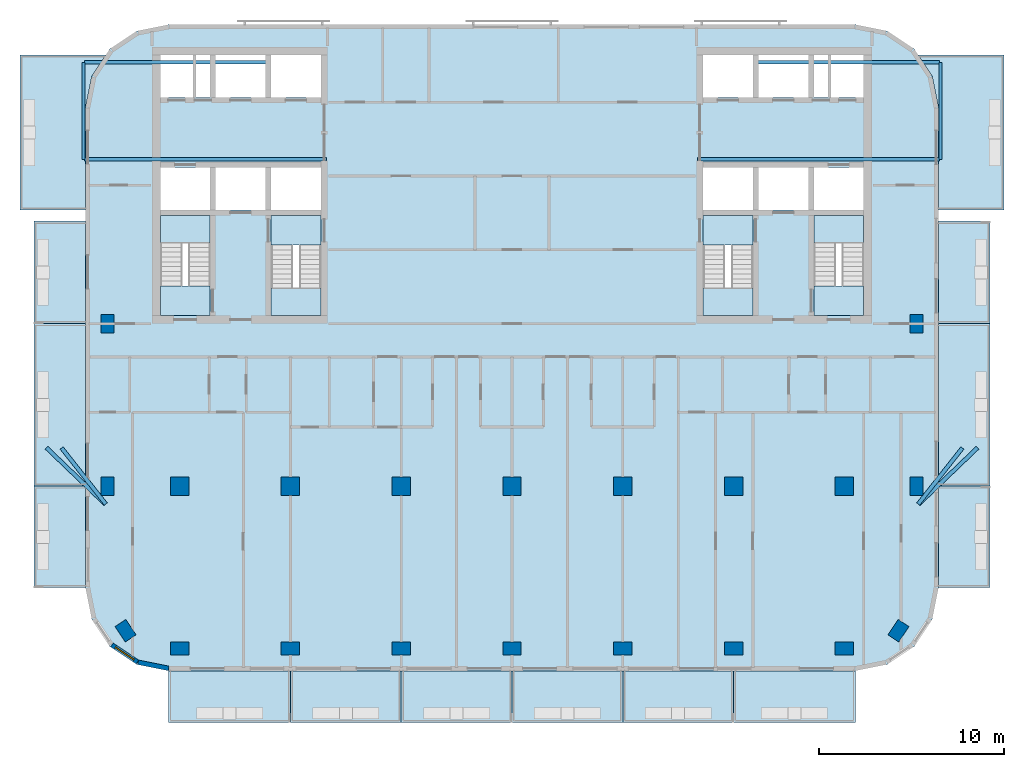
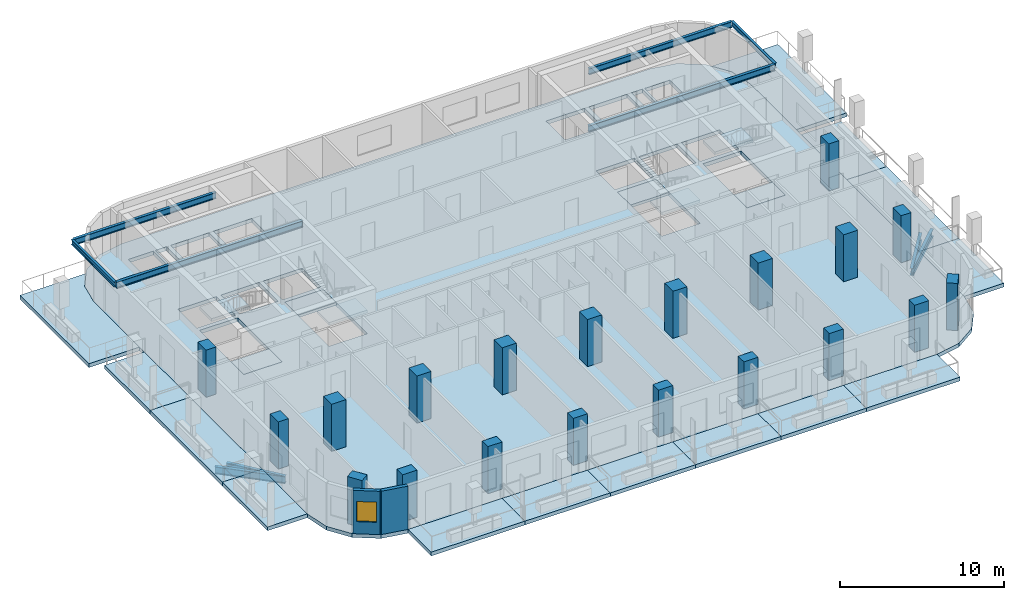
# One storey, part 1 of 11: 23 slabs, 20 columns, 10 beams, 2 walls, 1 window, 1 opening, 4 elements without a shape of their own.
"""IFC4 building model written with IfcOpenShell, lengths in metres."""

from ifc_helpers import new_model, si_unit, direction, frame, frame_2d, origin, origin_2d, place, context, subcontext, project, spatial, polyline, rectangle, i_section, outline, extrude, material, layer, layer_set, material_profile, profile_set, type_object, element, fill, aggregate, save


model = new_model("IFC4")

# Units and contexts
model_context = context("Model", 3, precision=1e-05, world=origin(), true_north=direction((0.0, 1.0)))
body_context = subcontext(model_context, "Body", "Model", "MODEL_VIEW")
ifc_project = project(units=[si_unit("LENGTHUNIT", "METRE"), si_unit("AREAUNIT", "SQUARE_METRE"), si_unit("VOLUMEUNIT", "CUBIC_METRE"), si_unit("PLANEANGLEUNIT", "RADIAN"), si_unit("MASSUNIT", "GRAM", prefix="KILO")], contexts=[model_context])

# Site, building, storey
site_placement = place(None, origin())
site = spatial("IfcSite", under=ifc_project, at=site_placement, CompositionType="ELEMENT")
building_placement = place(site_placement, origin())
building = spatial("IfcBuilding", under=site, at=building_placement, Name="Torana Hotel and Residences", CompositionType="ELEMENT")
storey_placement = place(building_placement, frame((0.0, 0.0, 252.60009765625)))
storey = spatial("IfcBuildingStorey", under=building, at=storey_placement, Name="L66", CompositionType="ELEMENT", Elevation=252.60009765625)

# Columns
ifc_material_1 = material(Name="Concrete C50/60", Category="concrete")
ifc_material_profile_1 = material_profile(ifc_material_1, rectangle(XDim=1.0, YDim=1.0, at=origin_2d()), Name="RC 1000x1000")
ifc_profile_set_1 = profile_set([ifc_material_profile_1], Name="Concrete C50/60")
column_type_1 = type_object("IfcColumnType", Name="COLUMN RC 1000x1000 C50/60", PredefinedType="COLUMN", material=ifc_profile_set_1)
for number, where, z_axis, x_axis, name in (
    (1, (-18.0, -23.800048828125, -0.280029296875), (0.0, 0.0, 1.0), (1.0, 0.0, 0.0), "Column L66"),
    (2, (-12.0, -23.800048828125, -0.280029296875), (0.0, 0.0, 1.0), (1.0, 0.0, 0.0), "Column L66"),
    (3, (-6.0, -23.800048828125, -0.280029296875), (0.0, 0.0, 1.0), (1.0, 0.0, 0.0), "Column L66"),
    (4, (0.0, -23.800048828125, -0.280029296875), (0.0, 0.0, 1.0), (1.0, 0.0, 0.0), "Column L66"),
    (5, (6.0, -23.800048828125, -0.280029296875), (0.0, 0.0, 1.0), (1.0, 0.0, 0.0), "Column L66"),
    (6, (12.0, -23.800048828125, -0.280029296875), (0.0, 0.0, 1.0), (1.0, 0.0, 0.0), "Column L66"),
    (7, (18.0, -23.800048828125, -0.280029296875), (0.0, 0.0, 1.0), (1.0, 0.0, 0.0), "Column L66"),
):
    element("IfcColumn", number, at=place(storey_placement, frame(where, z_axis=z_axis, x_axis=x_axis)), inside=storey, type_object=column_type_1, Name=name, PredefinedType="COLUMN", context=body_context, shape_type="SweptSolid", body=[
        extrude(rectangle(XDim=1.0, YDim=1.0, at=origin_2d()), origin(), (0.0, 0.0, 1.0), 3.780029296875),
    ])
ifc_material_2 = material(Name="Concrete C50/60", Category="concrete")
ifc_material_profile_2 = material_profile(ifc_material_2, rectangle(XDim=1.0, YDim=0.699951171875, at=origin_2d()), Name="RC 1000x700")
ifc_profile_set_2 = profile_set([ifc_material_profile_2], Name="Concrete C50/60")
column_type_2 = type_object("IfcColumnType", Name="COLUMN RC 1000x700 C50/60", PredefinedType="COLUMN", material=ifc_profile_set_2)
for number, where, z_axis, x_axis, name in (
    (8, (-21.89990234375, -23.800048828125, -0.280029296875), (0.0, 0.0, 1.0), (0.0, 1.0, 0.0), "Column L66"),
    (9, (-21.89990234375, -15.0, -0.280029296875), (0.0, 0.0, 1.0), (0.0, 1.0, 0.0), "Column L66"),
    (10, (-20.93310546875, -31.633056640625, -0.280029296875), (0.0, 0.0, 1.0), (-0.555584744817, 0.831459915646, 0.0), "Column L66"),
    (11, (-18.0, -32.60009765625, -0.280029296875), (0.0, 0.0, 1.0), (1.0, 0.0, 0.0), "Column L66"),
    (12, (-12.0, -32.60009765625, -0.280029296875), (0.0, 0.0, 1.0), (1.0, 0.0, 0.0), "Column L66"),
    (13, (-6.0, -32.60009765625, -0.280029296875), (0.0, 0.0, 1.0), (1.0, 0.0, 0.0), "Column L66"),
    (14, (0.0, -32.60009765625, -0.280029296875), (0.0, 0.0, 1.0), (1.0, 0.0, 0.0), "Column L66"),
    (15, (6.0, -32.60009765625, -0.280029296875), (0.0, 0.0, 1.0), (1.0, 0.0, 0.0), "Column L66"),
    (16, (12.0, -32.60009765625, -0.280029296875), (0.0, 0.0, 1.0), (1.0, 0.0, 0.0), "Column L66"),
    (17, (18.0, -32.60009765625, -0.280029296875), (0.0, 0.0, 1.0), (1.0, 0.0, 0.0), "Column L66"),
    (18, (20.93310546875, -31.633056640625, -0.280029296875), (0.0, 0.0, 1.0), (0.555584744817, 0.831459915646, 0.0), "Column L66"),
    (19, (21.89990234375, -23.800048828125, -0.280029296875), (0.0, 0.0, 1.0), (0.0, 1.0, 0.0), "Column L66"),
    (20, (21.89990234375, -15.0, -0.280029296875), (0.0, 0.0, 1.0), (0.0, 1.0, 0.0), "Column L66"),
):
    element("IfcColumn", number, at=place(storey_placement, frame(where, z_axis=z_axis, x_axis=x_axis)), inside=storey, type_object=column_type_2, Name=name, PredefinedType="COLUMN", context=body_context, shape_type="SweptSolid", body=[
        extrude(rectangle(XDim=1.0, YDim=0.699951171875, at=origin_2d()), origin(), (0.0, 0.0, 1.0), 3.780029296875),
    ])

# Beams
ifc_material_3 = material(Name="Steel S355", Category="steel")
ifc_material_profile_3 = material_profile(ifc_material_3, i_section(OverallWidth=0.19287109375, OverallDepth=0.46728515625, WebThickness=0.011474609375, FlangeThickness=0.01953125, FilletRadius=0.01025390625, at=origin_2d()), Name="457x191x98 UB")
ifc_profile_set_3 = profile_set([ifc_material_profile_3], Name="Steel S355")
beam_type_1 = type_object("IfcBeamType", Name="BALCONY CANTILEVER BEAM 457x191x98 UB", PredefinedType="BEAM", material=ifc_profile_set_3)
beam_1_placement = place(storey_placement, frame((-23.1484375, -6.10009765625, 2.986328125), z_axis=(1.0, 0.0, 0.0), x_axis=(0.0, 1.0, 0.0)))
element("IfcBeam", 21, at=beam_1_placement, inside=storey, type_object=beam_type_1, Name="Balcony cantilever beam", PredefinedType="BEAM", context=body_context, shape_type="SweptSolid", body=[
    extrude(i_section(OverallWidth=0.19287109375, OverallDepth=0.46728515625, WebThickness=0.011474609375, FlangeThickness=0.01953125, FilletRadius=0.01025390625, at=origin_2d()), origin(), (0.0, 0.0, 1.0), 13.098388671875),
])
beam_2_placement = place(storey_placement, frame((-23.1484375, -0.85009765625, 2.986328125), z_axis=(1.0, 0.0, 0.0), x_axis=(0.0, 1.0, 0.0)))
element("IfcBeam", 22, at=beam_2_placement, inside=storey, type_object=beam_type_1, Name="Balcony cantilever beam", PredefinedType="BEAM", context=body_context, shape_type="SweptSolid", body=[
    extrude(i_section(OverallWidth=0.19287109375, OverallDepth=0.46728515625, WebThickness=0.011474609375, FlangeThickness=0.01953125, FilletRadius=0.01025390625, at=origin_2d()), origin(), (0.0, 0.0, 1.0), 10.04833984375),
])
beam_3_placement = place(storey_placement, frame((23.1484375, -6.10009765625, 2.986328125), z_axis=(-1.0, 0.0, 0.0), x_axis=(0.0, -1.0, 0.0)))
element("IfcBeam", 23, at=beam_3_placement, inside=storey, type_object=beam_type_1, Name="Balcony cantilever beam", PredefinedType="BEAM", context=body_context, shape_type="SweptSolid", body=[
    extrude(i_section(OverallWidth=0.19287109375, OverallDepth=0.46728515625, WebThickness=0.011474609375, FlangeThickness=0.01953125, FilletRadius=0.01025390625, at=origin_2d()), origin(), (0.0, 0.0, 1.0), 13.098388671875),
])
beam_4_placement = place(storey_placement, frame((23.1484375, -0.85009765625, 2.986328125), z_axis=(-1.0, 0.0, 0.0), x_axis=(0.0, -1.0, 0.0)))
element("IfcBeam", 24, at=beam_4_placement, inside=storey, type_object=beam_type_1, Name="Balcony cantilever beam", PredefinedType="BEAM", context=body_context, shape_type="SweptSolid", body=[
    extrude(i_section(OverallWidth=0.19287109375, OverallDepth=0.46728515625, WebThickness=0.011474609375, FlangeThickness=0.01953125, FilletRadius=0.01025390625, at=origin_2d()), origin(), (0.0, 0.0, 1.0), 10.04833984375),
])
ifc_material_4 = material(Name="Steel S355", Category="steel")
ifc_material_profile_4 = material_profile(ifc_material_4, i_section(OverallWidth=0.2119140625, OverallDepth=0.54443359375, WebThickness=0.0126953125, FlangeThickness=0.021240234375, FilletRadius=0.0126953125, at=origin_2d()), Name="533x210x122 UB")
ifc_profile_set_4 = profile_set([ifc_material_profile_4], Name="Steel S355")
beam_type_2 = type_object("IfcBeamType", Name="BALCONY TIE BEAM 533x210x122 UB", PredefinedType="BEAM", material=ifc_profile_set_4)
beam_5_placement = place(storey_placement, frame((-24.394775390625, -21.7333984375, -0.552490234375), z_axis=(0.618848584026, -0.785510299136, 0.0), x_axis=(0.785510299136, 0.618848584026, 0.0)))
element("IfcBeam", 25, at=beam_5_placement, inside=storey, type_object=beam_type_2, Name="Balcony tie beam", PredefinedType="BEAM", context=body_context, shape_type="SweptSolid", body=[
    extrude(i_section(OverallWidth=0.2119140625, OverallDepth=0.54443359375, WebThickness=0.0126953125, FlangeThickness=0.021240234375, FilletRadius=0.0126953125, at=origin_2d()), origin(), (0.0, 0.0, 1.0), 3.861328125),
])
beam_6_placement = place(storey_placement, frame((-25.21728515625, -21.7177734375, -0.552490234375), z_axis=(0.721651773138, -0.692256251924, 0.0), x_axis=(0.692256251924, 0.721651773138, 0.0)))
element("IfcBeam", 26, at=beam_6_placement, inside=storey, type_object=beam_type_2, Name="Balcony tie beam", PredefinedType="BEAM", context=body_context, shape_type="SweptSolid", body=[
    extrude(i_section(OverallWidth=0.2119140625, OverallDepth=0.54443359375, WebThickness=0.0126953125, FlangeThickness=0.021240234375, FilletRadius=0.0126953125, at=origin_2d()), origin(), (0.0, 0.0, 1.0), 4.4267578125),
])
beam_7_placement = place(storey_placement, frame((24.394775390625, -21.7333984375, -0.552490234375), z_axis=(-0.618848584026, -0.785510299136, 0.0), x_axis=(0.785510299136, -0.618848584026, 0.0)))
element("IfcBeam", 27, at=beam_7_placement, inside=storey, type_object=beam_type_2, Name="Balcony tie beam", PredefinedType="BEAM", context=body_context, shape_type="SweptSolid", body=[
    extrude(i_section(OverallWidth=0.2119140625, OverallDepth=0.54443359375, WebThickness=0.0126953125, FlangeThickness=0.021240234375, FilletRadius=0.0126953125, at=origin_2d()), origin(), (0.0, 0.0, 1.0), 3.861328125),
])
beam_8_placement = place(storey_placement, frame((25.21728515625, -21.7177734375, -0.552490234375), z_axis=(-0.721651773138, -0.692256251924, 0.0), x_axis=(0.692256251924, -0.721651773138, 0.0)))
element("IfcBeam", 28, at=beam_8_placement, inside=storey, type_object=beam_type_2, Name="Balcony tie beam", PredefinedType="BEAM", context=body_context, shape_type="SweptSolid", body=[
    extrude(i_section(OverallWidth=0.2119140625, OverallDepth=0.54443359375, WebThickness=0.0126953125, FlangeThickness=0.021240234375, FilletRadius=0.0126953125, at=origin_2d()), origin(), (0.0, 0.0, 1.0), 4.4267578125),
])
ifc_material_5 = material(Name="Steel S355", Category="steel")
ifc_material_profile_5 = material_profile(ifc_material_5, i_section(OverallWidth=0.173095703125, OverallDepth=0.36328125, WebThickness=0.009033203125, FlangeThickness=0.015625, FilletRadius=0.01025390625, at=origin_2d()), Name="356x171x67 UB")
ifc_profile_set_5 = profile_set([ifc_material_profile_5], Name="Steel S355")
beam_type_3 = type_object("IfcBeamType", Name="BALCONY TIP BEAM 356x171x67 UB", PredefinedType="BEAM", material=ifc_profile_set_5)
for number, where, z_axis, x_axis, name in (
    (29, (-23.205078125, -6.10009765625, 3.0380859375), (0.0, 1.0, 0.0), (-1.0, 0.0, 0.0), "Balcony tip beam"),
    (30, (23.205078125, -6.10009765625, 3.0380859375), (0.0, 1.0, 0.0), (-1.0, 0.0, 0.0), "Balcony tip beam"),
):
    element("IfcBeam", number, at=place(storey_placement, frame(where, z_axis=z_axis, x_axis=x_axis)), inside=storey, type_object=beam_type_3, Name=name, PredefinedType="BEAM", context=body_context, shape_type="SweptSolid", body=[
        extrude(i_section(OverallWidth=0.173095703125, OverallDepth=0.36328125, WebThickness=0.009033203125, FlangeThickness=0.015625, FilletRadius=0.01025390625, at=origin_2d()), origin(), (0.0, 0.0, 1.0), 5.25),
    ])

# Slabs
ifc_material_6 = material(Name="Concrete C40/50", Category="concrete")
ifc_layer_1 = layer(ifc_material_6, 0.280029296875)
ifc_layer_set_1 = layer_set([ifc_layer_1], Name="BAL1 BALCONY SLAB 280")
slab_type_1 = type_object("IfcSlabType", Name="BAL1 BALCONY SLAB 280", PredefinedType="USERDEFINED", material=ifc_layer_set_1)
slab_1_placement = place(storey_placement, frame((0.0, 0.0, -0.280029296875)))
element("IfcSlab", 31, at=slab_1_placement, inside=storey, type_object=slab_type_1, Name="Balcony 01", ObjectType="BALCONY", PredefinedType="USERDEFINED", context=body_context, shape_type="SweptSolid", body=[
    extrude(outline(polyline([(-18.60009765625, -36.60009765625), (-12.0, -36.60009765625), (-12.0, -33.800048828125), (-18.60009765625, -33.800048828125), (-18.60009765625, -36.60009765625)])), origin(), (0.0, 0.0, 1.0), 0.280029296875),
])
slab_2_placement = place(storey_placement, frame((0.0, 0.0, -0.280029296875)))
element("IfcSlab", 32, at=slab_2_placement, inside=storey, type_object=slab_type_1, Name="Balcony 02", ObjectType="BALCONY", PredefinedType="USERDEFINED", context=body_context, shape_type="SweptSolid", body=[
    extrude(outline(polyline([(-12.0, -36.60009765625), (-6.0, -36.60009765625), (-6.0, -33.800048828125), (-12.0, -33.800048828125), (-12.0, -36.60009765625)])), origin(), (0.0, 0.0, 1.0), 0.280029296875),
])
slab_3_placement = place(storey_placement, frame((0.0, 0.0, -0.280029296875)))
element("IfcSlab", 33, at=slab_3_placement, inside=storey, type_object=slab_type_1, Name="Balcony 03", ObjectType="BALCONY", PredefinedType="USERDEFINED", context=body_context, shape_type="SweptSolid", body=[
    extrude(outline(polyline([(-6.0, -36.60009765625), (0.0, -36.60009765625), (0.0, -33.800048828125), (-6.0, -33.800048828125), (-6.0, -36.60009765625)])), origin(), (0.0, 0.0, 1.0), 0.280029296875),
])
slab_4_placement = place(storey_placement, frame((0.0, 0.0, -0.280029296875)))
element("IfcSlab", 34, at=slab_4_placement, inside=storey, type_object=slab_type_1, Name="Balcony 04", ObjectType="BALCONY", PredefinedType="USERDEFINED", context=body_context, shape_type="SweptSolid", body=[
    extrude(outline(polyline([(0.0, -36.60009765625), (6.0, -36.60009765625), (6.0, -33.800048828125), (0.0, -33.800048828125), (0.0, -36.60009765625)])), origin(), (0.0, 0.0, 1.0), 0.280029296875),
])
slab_5_placement = place(storey_placement, frame((0.0, 0.0, -0.280029296875)))
element("IfcSlab", 35, at=slab_5_placement, inside=storey, type_object=slab_type_1, Name="Balcony 05", ObjectType="BALCONY", PredefinedType="USERDEFINED", context=body_context, shape_type="SweptSolid", body=[
    extrude(outline(polyline([(6.0, -36.60009765625), (12.0, -36.60009765625), (12.0, -33.800048828125), (6.0, -33.800048828125), (6.0, -36.60009765625)])), origin(), (0.0, 0.0, 1.0), 0.280029296875),
])
slab_6_placement = place(storey_placement, frame((0.0, 0.0, -0.280029296875)))
element("IfcSlab", 36, at=slab_6_placement, inside=storey, type_object=slab_type_1, Name="Balcony 06", ObjectType="BALCONY", PredefinedType="USERDEFINED", context=body_context, shape_type="SweptSolid", body=[
    extrude(outline(polyline([(12.0, -36.60009765625), (18.60009765625, -36.60009765625), (18.60009765625, -33.800048828125), (12.0, -33.800048828125), (12.0, -36.60009765625)])), origin(), (0.0, 0.0, 1.0), 0.280029296875),
])
slab_7_placement = place(storey_placement, frame((0.0, 0.0, -0.280029296875)))
element("IfcSlab", 37, at=slab_7_placement, inside=storey, type_object=slab_type_1, Name="Balcony 07", ObjectType="BALCONY", PredefinedType="USERDEFINED", context=body_context, shape_type="SweptSolid", body=[
    extrude(outline(polyline([(-25.89990234375, -29.300048828125), (-23.10009765625, -29.300048828125), (-23.10009765625, -23.800048828125), (-25.89990234375, -23.800048828125), (-25.89990234375, -29.300048828125)])), origin(), (0.0, 0.0, 1.0), 0.280029296875),
])
slab_8_placement = place(storey_placement, frame((0.0, 0.0, -0.280029296875)))
element("IfcSlab", 38, at=slab_8_placement, inside=storey, type_object=slab_type_1, Name="Balcony 08", ObjectType="BALCONY", PredefinedType="USERDEFINED", context=body_context, shape_type="SweptSolid", body=[
    extrude(outline(polyline([(-25.89990234375, -23.800048828125), (-23.10009765625, -23.800048828125), (-23.10009765625, -15.0), (-25.89990234375, -15.0), (-25.89990234375, -23.800048828125)])), origin(), (0.0, 0.0, 1.0), 0.280029296875),
])
slab_9_placement = place(storey_placement, frame((0.0, 0.0, -0.280029296875)))
element("IfcSlab", 39, at=slab_9_placement, inside=storey, type_object=slab_type_1, Name="Balcony 09", ObjectType="BALCONY", PredefinedType="USERDEFINED", context=body_context, shape_type="SweptSolid", body=[
    extrude(outline(polyline([(-25.89990234375, -15.0), (-23.10009765625, -15.0), (-23.10009765625, -9.449951171875), (-25.89990234375, -9.449951171875), (-25.89990234375, -15.0)])), origin(), (0.0, 0.0, 1.0), 0.280029296875),
])
slab_10_placement = place(storey_placement, frame((0.0, 0.0, -0.280029296875)))
element("IfcSlab", 40, at=slab_10_placement, inside=storey, type_object=slab_type_1, Name="Balcony 10", ObjectType="BALCONY", PredefinedType="USERDEFINED", context=body_context, shape_type="SweptSolid", body=[
    extrude(outline(polyline([(-26.64990234375, -8.85009765625), (-23.10009765625, -8.85009765625), (-23.10009765625, -3.300048828125), (-22.757568359375, -1.577880859375), (-22.00390625, -0.449951171875), (-26.64990234375, -0.449951171875), (-26.64990234375, -8.85009765625)])), origin(), (0.0, 0.0, 1.0), 0.280029296875),
])
slab_11_placement = place(storey_placement, frame((0.0, 0.0, -0.280029296875)))
element("IfcSlab", 41, at=slab_11_placement, inside=storey, type_object=slab_type_1, Name="Balcony 11", ObjectType="BALCONY", PredefinedType="USERDEFINED", context=body_context, shape_type="SweptSolid", body=[
    extrude(outline(polyline([(23.10009765625, -29.300048828125), (25.89990234375, -29.300048828125), (25.89990234375, -23.800048828125), (23.10009765625, -23.800048828125), (23.10009765625, -29.300048828125)])), origin(), (0.0, 0.0, 1.0), 0.280029296875),
])
slab_12_placement = place(storey_placement, frame((0.0, 0.0, -0.280029296875)))
element("IfcSlab", 42, at=slab_12_placement, inside=storey, type_object=slab_type_1, Name="Balcony 12", ObjectType="BALCONY", PredefinedType="USERDEFINED", context=body_context, shape_type="SweptSolid", body=[
    extrude(outline(polyline([(23.10009765625, -23.800048828125), (25.89990234375, -23.800048828125), (25.89990234375, -15.0), (23.10009765625, -15.0), (23.10009765625, -23.800048828125)])), origin(), (0.0, 0.0, 1.0), 0.280029296875),
])
slab_13_placement = place(storey_placement, frame((0.0, 0.0, -0.280029296875)))
element("IfcSlab", 43, at=slab_13_placement, inside=storey, type_object=slab_type_1, Name="Balcony 13", ObjectType="BALCONY", PredefinedType="USERDEFINED", context=body_context, shape_type="SweptSolid", body=[
    extrude(outline(polyline([(23.10009765625, -15.0), (25.89990234375, -15.0), (25.89990234375, -9.449951171875), (23.10009765625, -9.449951171875), (23.10009765625, -15.0)])), origin(), (0.0, 0.0, 1.0), 0.280029296875),
])
slab_14_placement = place(storey_placement, frame((0.0, 0.0, -0.280029296875)))
element("IfcSlab", 44, at=slab_14_placement, inside=storey, type_object=slab_type_1, Name="Balcony 14", ObjectType="BALCONY", PredefinedType="USERDEFINED", context=body_context, shape_type="SweptSolid", body=[
    extrude(outline(polyline([(23.10009765625, -8.85009765625), (26.64990234375, -8.85009765625), (26.64990234375, -0.449951171875), (22.00390625, -0.449951171875), (22.757568359375, -1.577880859375), (23.10009765625, -3.300048828125), (23.10009765625, -8.85009765625)])), origin(), (0.0, 0.0, 1.0), 0.280029296875),
])
ifc_material_7 = material(Name="Concrete C40/50", Category="concrete")
ifc_layer_2 = layer(ifc_material_7, 0.280029296875)
ifc_layer_set_2 = layer_set([ifc_layer_2], Name="FLOOR SLAB PT 280")
slab_type_2 = type_object("IfcSlabType", Name="FLOOR SLAB PT 280", PredefinedType="FLOOR", material=ifc_layer_set_2)
slab_15_placement = place(storey_placement, frame((0.0, 0.0, -0.280029296875)))
element("IfcSlab", 45, at=slab_15_placement, inside=storey, type_object=slab_type_2, Name="Floor slab", PredefinedType="FLOOR", context=body_context, shape_type="SweptSolid", body=[
    extrude(outline(polyline([(23.10009765625, -3.300048828125), (22.757568359375, -1.577880859375), (21.781982421875, -0.117919921875), (20.322021484375, 0.857421875), (18.60009765625, 1.199951171875), (-18.60009765625, 1.199951171875), (-20.322021484375, 0.857421875), (-21.781982421875, -0.117919921875), (-22.757568359375, -1.577880859375), (-23.10009765625, -3.300048828125), (-23.10009765625, -29.300048828125), (-22.757568359375, -31.022216796875), (-21.781982421875, -32.48193359375), (-20.322021484375, -33.45751953125), (-18.60009765625, -33.800048828125), (18.60009765625, -33.800048828125), (20.322021484375, -33.45751953125), (21.781982421875, -32.48193359375), (22.757568359375, -31.022216796875), (23.10009765625, -29.300048828125), (23.10009765625, -3.300048828125)]), holes=[polyline([(-13.050048828125, -14.550048828125), (-10.35009765625, -14.550048828125), (-10.35009765625, -9.14990234375), (-13.050048828125, -9.14990234375), (-13.050048828125, -14.550048828125)]), polyline([(-19.050048828125, -14.550048828125), (-16.35009765625, -14.550048828125), (-16.35009765625, -9.14990234375), (-19.050048828125, -9.14990234375), (-19.050048828125, -14.550048828125)]), polyline([(-17.125, -2.75), (-16.35009765625, -2.75), (-16.35009765625, -0.449951171875), (-17.125, -0.449951171875), (-17.125, -2.75)]), polyline([(-19.050048828125, -2.75), (-17.27490234375, -2.75), (-17.27490234375, -0.449951171875), (-19.050048828125, -0.449951171875), (-19.050048828125, -2.75)]), polyline([(-13.050048828125, -2.75), (-10.35009765625, -2.75), (-10.35009765625, -0.449951171875), (-13.050048828125, -0.449951171875), (-13.050048828125, -2.75)]), polyline([(-16.050048828125, -2.75), (-13.35009765625, -2.75), (-13.35009765625, -0.449951171875), (-16.050048828125, -0.449951171875), (-16.050048828125, -2.75)]), polyline([(-13.050048828125, -8.85009765625), (-10.35009765625, -8.85009765625), (-10.35009765625, -6.550048828125), (-13.050048828125, -6.550048828125), (-13.050048828125, -8.85009765625)]), polyline([(-16.050048828125, -8.85009765625), (-13.35009765625, -8.85009765625), (-13.35009765625, -6.550048828125), (-16.050048828125, -6.550048828125), (-16.050048828125, -8.85009765625)]), polyline([(-19.050048828125, -8.85009765625), (-16.35009765625, -8.85009765625), (-16.35009765625, -6.550048828125), (-19.050048828125, -6.550048828125), (-19.050048828125, -8.85009765625)]), polyline([(10.35009765625, -14.550048828125), (13.050048828125, -14.550048828125), (13.050048828125, -9.14990234375), (10.35009765625, -9.14990234375), (10.35009765625, -14.550048828125)]), polyline([(16.35009765625, -14.550048828125), (19.050048828125, -14.550048828125), (19.050048828125, -9.14990234375), (16.35009765625, -9.14990234375), (16.35009765625, -14.550048828125)]), polyline([(16.35009765625, -2.75), (17.125, -2.75), (17.125, -0.449951171875), (16.35009765625, -0.449951171875), (16.35009765625, -2.75)]), polyline([(17.27490234375, -2.75), (19.050048828125, -2.75), (19.050048828125, -0.449951171875), (17.27490234375, -0.449951171875), (17.27490234375, -2.75)]), polyline([(10.35009765625, -2.75), (13.050048828125, -2.75), (13.050048828125, -0.449951171875), (10.35009765625, -0.449951171875), (10.35009765625, -2.75)]), polyline([(13.35009765625, -2.75), (16.050048828125, -2.75), (16.050048828125, -0.449951171875), (13.35009765625, -0.449951171875), (13.35009765625, -2.75)]), polyline([(10.35009765625, -8.85009765625), (13.050048828125, -8.85009765625), (13.050048828125, -6.550048828125), (10.35009765625, -6.550048828125), (10.35009765625, -8.85009765625)]), polyline([(13.35009765625, -8.85009765625), (16.050048828125, -8.85009765625), (16.050048828125, -6.550048828125), (13.35009765625, -6.550048828125), (13.35009765625, -8.85009765625)]), polyline([(16.35009765625, -8.85009765625), (19.050048828125, -8.85009765625), (19.050048828125, -6.550048828125), (16.35009765625, -6.550048828125), (16.35009765625, -8.85009765625)])]), origin(), (0.0, 0.0, 1.0), 0.280029296875),
])

# Stair, slabs
ifc_material_8 = material(Name="Concrete C40/50 precast", Category="concrete")
stair_type_1 = type_object("IfcStairType", Name="STAIR ST1 HALF TURN 1200", PredefinedType="HALF_TURN_STAIR", material=ifc_material_8)
stair_1_placement = place(storey_placement, origin())
stair_1 = element("IfcStair", 46, at=stair_1_placement, inside=storey, type_object=stair_type_1, Name="Stair ST1 L66", PredefinedType="HALF_TURN_STAIR")
ifc_material_9 = material(Name="Concrete C40/50 precast", Category="concrete")
ifc_layer_3 = layer(ifc_material_9, 0.199951171875)
ifc_layer_set_3 = layer_set([ifc_layer_3], Name="STAIR LANDING 200")
slab_type_3 = type_object("IfcSlabType", Name="STAIR LANDING 200", PredefinedType="LANDING", material=ifc_layer_set_3)
slab_16_placement = place(storey_placement, frame((0.0, 0.0, 1.5498046875)))
slab_16 = element("IfcSlab", 47, at=slab_16_placement, type_object=slab_type_3, Name="ST1 landing 1", PredefinedType="LANDING", context=body_context, shape_type="SweptSolid", body=[
    extrude(outline(polyline([(-13.050048828125, -14.550048828125), (-10.35009765625, -14.550048828125), (-10.35009765625, -13.090087890625), (-13.050048828125, -13.090087890625), (-13.050048828125, -14.550048828125)])), origin(), (0.0, 0.0, 1.0), 0.2001953125),
])
slab_17_placement = place(storey_placement, frame((0.0, 0.0, -0.2001953125)))
slab_17 = element("IfcSlab", 48, at=slab_17_placement, type_object=slab_type_3, Name="ST1 landing 2", PredefinedType="LANDING", context=body_context, shape_type="SweptSolid", body=[
    extrude(outline(polyline([(-13.050048828125, -10.75), (-10.35009765625, -10.75), (-10.35009765625, -9.14990234375), (-13.050048828125, -9.14990234375), (-13.050048828125, -10.75)])), origin(), (0.0, 0.0, 1.0), 0.2001953125),
])
aggregate(stair_1, [slab_16, slab_17])

ifc_material_10 = material(Name="Concrete C40/50 precast", Category="concrete")
stair_type_2 = type_object("IfcStairType", Name="STAIR ST2 HALF TURN 1200", PredefinedType="HALF_TURN_STAIR", material=ifc_material_10)
stair_2_placement = place(storey_placement, origin())
stair_2 = element("IfcStair", 49, at=stair_2_placement, inside=storey, type_object=stair_type_2, Name="Stair ST2 L66", PredefinedType="HALF_TURN_STAIR")
slab_18_placement = place(storey_placement, frame((0.0, 0.0, 1.5498046875)))
slab_18 = element("IfcSlab", 50, at=slab_18_placement, type_object=slab_type_3, Name="ST2 landing 1", PredefinedType="LANDING", context=body_context, shape_type="SweptSolid", body=[
    extrude(outline(polyline([(-19.050048828125, -10.610107421875), (-16.35009765625, -10.610107421875), (-16.35009765625, -9.14990234375), (-19.050048828125, -9.14990234375), (-19.050048828125, -10.610107421875)])), origin(), (0.0, 0.0, 1.0), 0.2001953125),
])
slab_19_placement = place(storey_placement, frame((0.0, 0.0, -0.2001953125)))
slab_19 = element("IfcSlab", 51, at=slab_19_placement, type_object=slab_type_3, Name="ST2 landing 2", PredefinedType="LANDING", context=body_context, shape_type="SweptSolid", body=[
    extrude(outline(polyline([(-19.050048828125, -14.550048828125), (-16.35009765625, -14.550048828125), (-16.35009765625, -12.949951171875), (-19.050048828125, -12.949951171875), (-19.050048828125, -14.550048828125)])), origin(), (0.0, 0.0, 1.0), 0.2001953125),
])
aggregate(stair_2, [slab_18, slab_19])

ifc_material_11 = material(Name="Concrete C40/50 precast", Category="concrete")
stair_type_3 = type_object("IfcStairType", Name="STAIR ST3 HALF TURN 1200", PredefinedType="HALF_TURN_STAIR", material=ifc_material_11)
stair_3_placement = place(storey_placement, origin())
stair_3 = element("IfcStair", 52, at=stair_3_placement, inside=storey, type_object=stair_type_3, Name="Stair ST3 L66", PredefinedType="HALF_TURN_STAIR")
slab_20_placement = place(storey_placement, frame((0.0, 0.0, 1.5498046875)))
slab_20 = element("IfcSlab", 53, at=slab_20_placement, type_object=slab_type_3, Name="ST3 landing 1", PredefinedType="LANDING", context=body_context, shape_type="SweptSolid", body=[
    extrude(outline(polyline([(10.35009765625, -14.550048828125), (13.050048828125, -14.550048828125), (13.050048828125, -13.090087890625), (10.35009765625, -13.090087890625), (10.35009765625, -14.550048828125)])), origin(), (0.0, 0.0, 1.0), 0.2001953125),
])
slab_21_placement = place(storey_placement, frame((0.0, 0.0, -0.2001953125)))
slab_21 = element("IfcSlab", 54, at=slab_21_placement, type_object=slab_type_3, Name="ST3 landing 2", PredefinedType="LANDING", context=body_context, shape_type="SweptSolid", body=[
    extrude(outline(polyline([(10.35009765625, -10.75), (13.050048828125, -10.75), (13.050048828125, -9.14990234375), (10.35009765625, -9.14990234375), (10.35009765625, -10.75)])), origin(), (0.0, 0.0, 1.0), 0.2001953125),
])
aggregate(stair_3, [slab_20, slab_21])

ifc_material_12 = material(Name="Concrete C40/50 precast", Category="concrete")
stair_type_4 = type_object("IfcStairType", Name="STAIR ST4 HALF TURN 1200", PredefinedType="HALF_TURN_STAIR", material=ifc_material_12)
stair_4_placement = place(storey_placement, origin())
stair_4 = element("IfcStair", 55, at=stair_4_placement, inside=storey, type_object=stair_type_4, Name="Stair ST4 L66", PredefinedType="HALF_TURN_STAIR")
slab_22_placement = place(storey_placement, frame((0.0, 0.0, 1.5498046875)))
slab_22 = element("IfcSlab", 56, at=slab_22_placement, type_object=slab_type_3, Name="ST4 landing 1", PredefinedType="LANDING", context=body_context, shape_type="SweptSolid", body=[
    extrude(outline(polyline([(16.35009765625, -10.610107421875), (19.050048828125, -10.610107421875), (19.050048828125, -9.14990234375), (16.35009765625, -9.14990234375), (16.35009765625, -10.610107421875)])), origin(), (0.0, 0.0, 1.0), 0.2001953125),
])
slab_23_placement = place(storey_placement, frame((0.0, 0.0, -0.2001953125)))
slab_23 = element("IfcSlab", 57, at=slab_23_placement, type_object=slab_type_3, Name="ST4 landing 2", PredefinedType="LANDING", context=body_context, shape_type="SweptSolid", body=[
    extrude(outline(polyline([(16.35009765625, -14.550048828125), (19.050048828125, -14.550048828125), (19.050048828125, -12.949951171875), (16.35009765625, -12.949951171875), (16.35009765625, -14.550048828125)])), origin(), (0.0, 0.0, 1.0), 0.2001953125),
])
aggregate(stair_4, [slab_22, slab_23])

# Wall, opening, window
ifc_material_13 = material(Name="Black aluminium composite panel", Category="aluminium")
ifc_layer_4 = layer(ifc_material_13, 0.00390625, Name="Cladding", Category="cladding")
ifc_material_14 = material(Name="Ventilated air cavity")
ifc_layer_5 = layer(ifc_material_14, 0.0400390625, Name="Ventilated cavity", Category="cavity")
ifc_material_15 = material(Name="Mineral wool insulation")
ifc_layer_6 = layer(ifc_material_15, 0.090087890625, Name="Insulation", Category="insulation")
ifc_material_16 = material(Name="Steel S280GD", Category="steel")
ifc_layer_7 = layer(ifc_material_16, 0.092041015625, Name="Steel stud frame", Category="structure")
ifc_material_17 = material(Name="Fire rated plasterboard")
ifc_layer_8 = layer(ifc_material_17, 0.011962890625, Name="Inner board", Category="finish")
ifc_layer_9 = layer(ifc_material_17, 0.011962890625, Name="Second board", Category="finish")
ifc_layer_set_4 = layer_set([ifc_layer_4, ifc_layer_5, ifc_layer_6, ifc_layer_7, ifc_layer_8, ifc_layer_9], Name="EW1 EXTERNAL WALL BLACK METAL CLAD 250")
wall_type = type_object("IfcWallType", Name="EW1 EXTERNAL WALL BLACK METAL CLAD 250", PredefinedType="SOLIDWALL", material=ifc_layer_set_4)
wall_1_placement = place(storey_placement, frame((-21.671142578125, -32.40576171875, 0.0), z_axis=(0.0, 0.0, 1.0), x_axis=(0.831482937015, -0.55555029066, 0.0)))
wall_1 = element("IfcWall", 58, at=wall_1_placement, inside=storey, type_object=wall_type, Name="External wall L66 e0.12", PredefinedType="SOLIDWALL", context=body_context, shape_type="SweptSolid", body=[
    extrude(rectangle(XDim=1.65625, YDim=0.25, at=frame_2d((0.828125, 0.0))), origin(), (0.0, 0.0, 1.0), 3.219970703125),
])
opening_placement = place(wall_1_placement, frame((0.228271484375, 0.0, 0.89990234375)))
opening = element("IfcOpeningElement", 59, at=opening_placement, cuts=wall_1, Name="Opening W5", PredefinedType="OPENING", context=body_context, shape_type="SweptSolid", body=[
    extrude(rectangle(XDim=1.199951171875, YDim=1.5, at=frame_2d((0.60009765625, 0.75))), frame((0.0, 0.135009765625, 0.0), z_axis=(0.0, -1.0, 0.0), x_axis=(1.0, 0.0, 0.0)), (0.0, 0.0, 1.0), 0.27001953125),
])
ifc_material_18 = material(Name="Dark glass in black aluminium frame", Category="aluminium")
window_type = type_object("IfcWindowType", Name="W5 CORNER FACET WINDOW 1200x1500", PartitioningType="SINGLE_PANEL", PredefinedType="WINDOW", material=ifc_material_18)
window_placement = place(opening_placement, origin())
window = element("IfcWindow", 60, at=window_placement, inside=storey, type_object=window_type, Name="Window L66 e0.12", OverallHeight=1.5, OverallWidth=1.199951171875, PartitioningType="SINGLE_PANEL", PredefinedType="WINDOW", context=body_context, shape_type="SweptSolid", body=[
    extrude(rectangle(XDim=1.199951171875, YDim=1.5, at=frame_2d((0.60009765625, 0.75))), frame((0.0, 0.030029296875, 0.0), z_axis=(0.0, -1.0, 0.0), x_axis=(1.0, 0.0, 0.0)), (0.0, 0.0, 1.0), 0.06005859375),
])
fill(opening, window)

# Wall
wall_2_placement = place(storey_placement, frame((-20.248779296875, -33.344482421875, 0.0), z_axis=(0.0, 0.0, 1.0), x_axis=(0.980770110232, -0.195166572128, 0.0)))
element("IfcWall", 61, at=wall_2_placement, inside=storey, type_object=wall_type, Name="External wall L66 e0.13", PredefinedType="SOLIDWALL", context=body_context, shape_type="SweptSolid", body=[
    extrude(rectangle(XDim=1.68115234375, YDim=0.25, at=frame_2d((0.840576171875, 0.0))), origin(), (0.0, 0.0, 1.0), 3.219970703125),
])

save(model, "model.ifc")
